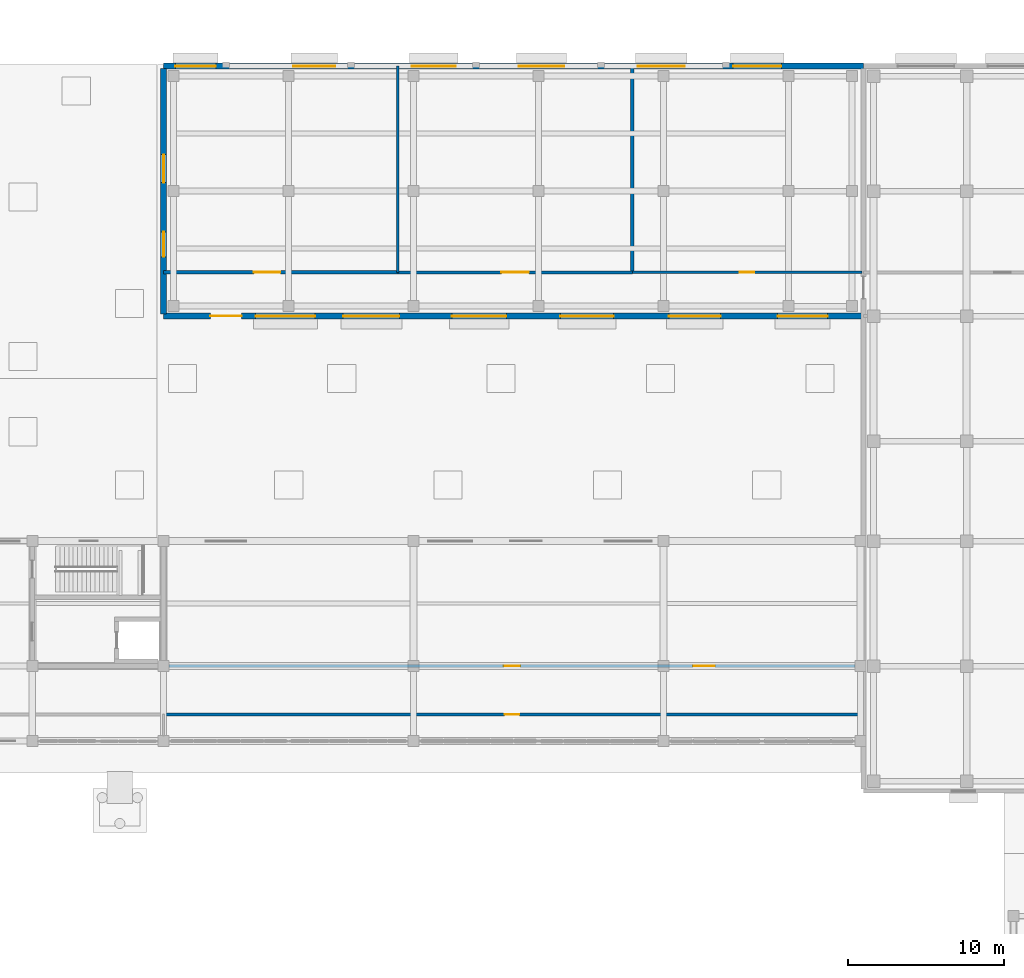
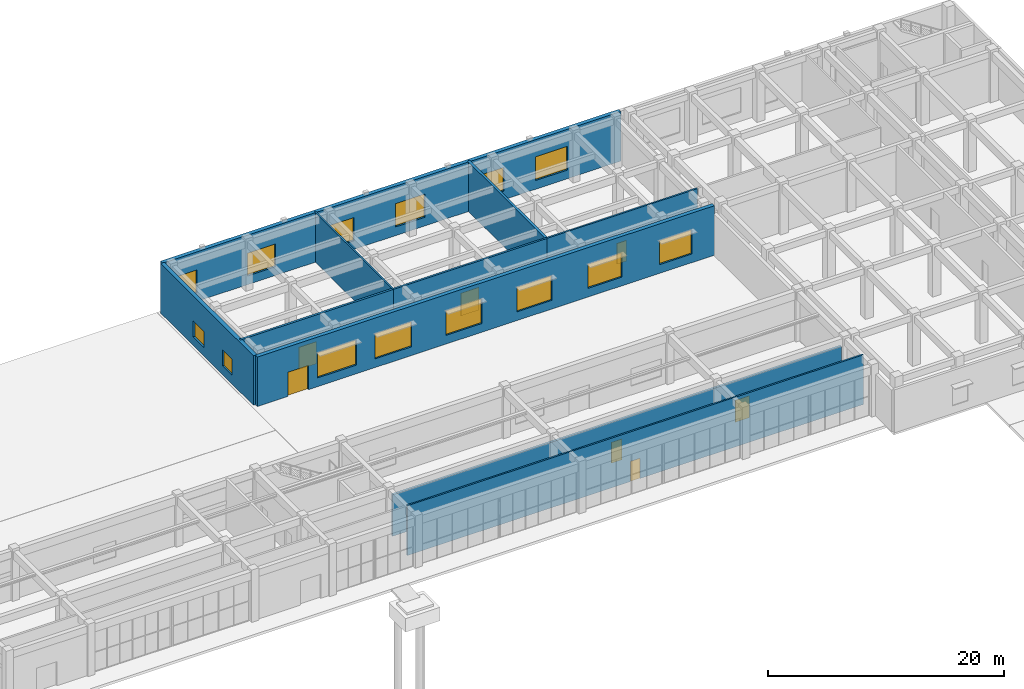
# One storey, part 33 of 46: 14 windows, 10 walls, 7 doors, 21 openings.
"""IFC4 building model written with IfcOpenShell, lengths in metres."""

from ifc_helpers import new_model, si_unit, direction, frame, frame_2d, origin, place, context, subcontext, project, spatial, rectangle, extrude, material, layer, layer_set, type_object, element, fill, save


model = new_model("IFC4")

# Units and contexts
model_context = context("Model", 3, precision=1e-05, world=origin(), true_north=direction((0.0, 1.0)))
body_context = subcontext(model_context, "Body", "Model", "MODEL_VIEW")
ifc_project = project(units=[si_unit("LENGTHUNIT", "METRE"), si_unit("AREAUNIT", "SQUARE_METRE"), si_unit("VOLUMEUNIT", "CUBIC_METRE"), si_unit("PLANEANGLEUNIT", "RADIAN"), si_unit("MASSUNIT", "GRAM", prefix="KILO")], contexts=[model_context])

# Site, building, storey
site_placement = place(None, origin())
site = spatial("IfcSite", under=ifc_project, at=site_placement, CompositionType="ELEMENT")
building_placement = place(site_placement, origin())
building = spatial("IfcBuilding", under=site, at=building_placement, Name="Cinchona Park Media Centre", CompositionType="ELEMENT")
storey_placement = place(building_placement, origin())
storey = spatial("IfcBuildingStorey", under=building, at=storey_placement, Name="L00", CompositionType="ELEMENT", Elevation=0.0)

# Wall, openings, doors
ifc_material_1 = material(Name="Acoustic Double-Stud Gypsum Partition", Category="gypsum")
ifc_layer_1 = layer(ifc_material_1, 0.2099609375)
ifc_layer_set_1 = layer_set([ifc_layer_1], Name="Acoustic Double-Stud Gypsum Partition")
wall_type_1 = type_object("IfcWallType", Name="WALL-W-AC210", PredefinedType="PARTITIONING", material=ifc_layer_set_1)
wall_1_placement = place(storey_placement, frame((95.152099609375, 79.60009765625, 0.0), z_axis=(0.0, 0.0, 1.0), x_axis=(1.0, 0.0, 0.0)))
wall_1 = element("IfcWall", 1, at=wall_1_placement, inside=storey, type_object=wall_type_1, Name="Interior Wall W-AC210 L00", PredefinedType="PARTITIONING", context=body_context, shape_type="SweptSolid", body=[
    extrude(rectangle(XDim=43.89599609375, YDim=0.2099609375, at=frame_2d((21.947998046875, 0.0))), origin(), (0.0, 0.0, 1.0), 4.2900390625),
])
opening_1_placement = place(wall_1_placement, frame((21.423095703125, 0.0, 0.0)))
opening_1 = element("IfcOpeningElement", 2, at=opening_1_placement, cuts=wall_1, Name="Opening D206", PredefinedType="OPENING", context=body_context, shape_type="SweptSolid", body=[
    extrude(rectangle(XDim=1.050048828125, YDim=2.14990234375, at=frame_2d((0.52490234375, 1.074951171875))), frame((0.0, 0.114990234375, 0.0), z_axis=(0.0, -1.0, 0.0), x_axis=(1.0, 0.0, 0.0)), (0.0, 0.0, 1.0), 0.22998046875),
])
opening_2_placement = place(wall_1_placement, frame((33.5390625, 0.0, 0.0)))
opening_2 = element("IfcOpeningElement", 3, at=opening_2_placement, cuts=wall_1, Name="Opening D207", PredefinedType="OPENING", context=body_context, shape_type="SweptSolid", body=[
    extrude(rectangle(XDim=1.39990234375, YDim=2.25, at=frame_2d((0.699951171875, 1.125))), frame((0.0, 0.114990234375, 0.0), z_axis=(0.0, -1.0, 0.0), x_axis=(1.0, 0.0, 0.0)), (0.0, 0.0, 1.0), 0.22998046875),
])
ifc_material_2 = material(Name="Acoustic Double-Seal Steel Door", Category="steel")
door_type_1 = type_object("IfcDoorType", Name="DOOR-DT-AC", OperationType="NOTDEFINED", PredefinedType="DOOR", material=ifc_material_2)
door_1_placement = place(opening_2_placement, origin())
door_1 = element("IfcDoor", 4, at=door_1_placement, inside=storey, type_object=door_type_1, Name="Interior Door D207", OperationType="SINGLE_SWING_LEFT", OverallHeight=2.25, OverallWidth=1.39990234375, PredefinedType="DOOR", context=body_context, shape_type="SweptSolid", body=[
    extrude(rectangle(XDim=1.39990234375, YDim=2.25, at=frame_2d((0.699951171875, 1.125))), frame((0.0, 0.02490234375, 0.0), z_axis=(0.0, -1.0, 0.0), x_axis=(1.0, 0.0, 0.0)), (0.0, 0.0, 1.0), 0.050048828125),
])
fill(opening_2, door_1)
ifc_material_3 = material(Name="Solid-Core Timber Acoustic Door", Category="wood")
door_type_2 = type_object("IfcDoorType", Name="DOOR-DT06", OperationType="NOTDEFINED", PredefinedType="DOOR", material=ifc_material_3)
door_2_placement = place(opening_1_placement, origin())
door_2 = element("IfcDoor", 5, at=door_2_placement, inside=storey, type_object=door_type_2, Name="Interior Door D206", OperationType="SINGLE_SWING_RIGHT", OverallHeight=2.14990234375, OverallWidth=1.050048828125, PredefinedType="DOOR", context=body_context, shape_type="SweptSolid", body=[
    extrude(rectangle(XDim=1.050048828125, YDim=2.14990234375, at=frame_2d((0.52490234375, 1.074951171875))), frame((0.0, 0.02490234375, 0.0), z_axis=(0.0, -1.0, 0.0), x_axis=(1.0, 0.0, 0.0)), (0.0, 0.0, 1.0), 0.050048828125),
])
fill(opening_1, door_2)

# Wall, opening, door
wall_2_placement = place(storey_placement, frame((94.800048828125, 104.800048828125, 0.0), z_axis=(0.0, 0.0, 1.0), x_axis=(1.0, 0.0, 0.0)))
wall_2 = element("IfcWall", 6, at=wall_2_placement, inside=storey, type_object=wall_type_1, Name="Interior Wall W-AC210 L00", PredefinedType="PARTITIONING", context=body_context, shape_type="SweptSolid", body=[
    extrude(rectangle(XDim=15.0, YDim=0.2099609375, at=frame_2d((7.5, 0.0))), origin(), (0.0, 0.0, 1.0), 5.1201171875),
])
opening_3_placement = place(wall_2_placement, frame((5.780029296875, 0.0, 0.0)))
opening_3 = element("IfcOpeningElement", 7, at=opening_3_placement, cuts=wall_2, Name="Opening D215", PredefinedType="OPENING", context=body_context, shape_type="SweptSolid", body=[
    extrude(rectangle(XDim=1.699951171875, YDim=2.300048828125, at=frame_2d((0.85009765625, 1.14990234375))), frame((0.0, 0.114990234375, 0.0), z_axis=(0.0, -1.0, 0.0), x_axis=(1.0, 0.0, 0.0)), (0.0, 0.0, 1.0), 0.22998046875),
])
ifc_material_4 = material(Name="Fire-Rated Acoustic Timber-Steel Door", Category="steel")
door_type_3 = type_object("IfcDoorType", Name="DOOR-DT19", OperationType="NOTDEFINED", PredefinedType="DOOR", material=ifc_material_4)
door_3_placement = place(opening_3_placement, origin())
door_3 = element("IfcDoor", 8, at=door_3_placement, inside=storey, type_object=door_type_3, Name="Interior Door D215", OperationType="SINGLE_SWING_LEFT", OverallHeight=2.300048828125, OverallWidth=1.699951171875, PredefinedType="DOOR", context=body_context, shape_type="SweptSolid", body=[
    extrude(rectangle(XDim=1.699951171875, YDim=2.300048828125, at=frame_2d((0.85009765625, 1.14990234375))), frame((0.0, 0.02490234375, 0.0), z_axis=(0.0, -1.0, 0.0), x_axis=(1.0, 0.0, 0.0)), (0.0, 0.0, 1.0), 0.050048828125),
])
fill(opening_3, door_3)

# Wall
ifc_material_5 = material(Name="Acoustic Double-Stud Gypsum Partition", Category="gypsum")
ifc_layer_2 = layer(ifc_material_5, 0.239990234375)
ifc_layer_set_2 = layer_set([ifc_layer_2], Name="Acoustic Double-Stud Gypsum Partition")
wall_type_2 = type_object("IfcWallType", Name="WALL-W-AC240", PredefinedType="PARTITIONING", material=ifc_layer_set_2)
wall_3_placement = place(storey_placement, frame((124.800048828125, 118.0, 0.0), z_axis=(0.0, 0.0, 1.0), x_axis=(0.0, -1.0, 0.0)))
element("IfcWall", 9, at=wall_3_placement, inside=storey, type_object=wall_type_2, Name="Interior Wall W-AC240 L00", PredefinedType="PARTITIONING", context=body_context, shape_type="SweptSolid", body=[
    extrude(rectangle(XDim=13.199951171875, YDim=0.239990234375, at=frame_2d((6.60009765625, 0.0))), origin(), (0.0, 0.0, 1.0), 5.1201171875),
])

# Wall, openings, windows
ifc_material_6 = material(Name="Precast concrete C40/50", Category="concrete")
ifc_layer_3 = layer(ifc_material_6, 0.3798828125)
ifc_layer_set_3 = layer_set([ifc_layer_3], Name="Precast concrete C40/50")
wall_type_3 = type_object("IfcWallType", Name="WALL-W-EX01", PredefinedType="SOLIDWALL", material=ifc_layer_set_3)
wall_4_placement = place(storey_placement, frame((94.800048828125, 118.0, 0.0), z_axis=(0.0, 0.0, 1.0), x_axis=(1.0, 0.0, 0.0)))
wall_4 = element("IfcWall", 10, at=wall_4_placement, inside=storey, type_object=wall_type_3, Name="Exterior Wall W-EX01 V3 L00", PredefinedType="SOLIDWALL", context=body_context, shape_type="SweptSolid", body=[
    extrude(rectangle(XDim=44.794921875, YDim=0.3798828125, at=frame_2d((22.3974609375, 0.0))), origin(), (0.0, 0.0, 1.0), 5.1201171875),
])
opening_4_placement = place(wall_4_placement, frame((0.75, 0.0, 0.89990234375)))
opening_4 = element("IfcOpeningElement", 11, at=opening_4_placement, cuts=wall_4, Name="Opening WN13", PredefinedType="OPENING", context=body_context, shape_type="SweptSolid", body=[
    extrude(rectangle(XDim=2.60009765625, YDim=2.35009765625, at=frame_2d((1.300048828125, 1.175048828125))), frame((0.0, 0.199951171875, 0.0), z_axis=(0.0, -1.0, 0.0), x_axis=(1.0, 0.0, 0.0)), (0.0, 0.0, 1.0), 0.39990234375),
])
opening_5_placement = place(wall_4_placement, frame((8.300048828125, 0.0, 0.89990234375)))
opening_5 = element("IfcOpeningElement", 12, at=opening_5_placement, cuts=wall_4, Name="Opening WN14", PredefinedType="OPENING", context=body_context, shape_type="SweptSolid", body=[
    extrude(rectangle(XDim=2.699951171875, YDim=2.35009765625, at=frame_2d((1.35009765625, 1.175048828125))), frame((0.0, 0.199951171875, 0.0), z_axis=(0.0, -1.0, 0.0), x_axis=(1.0, 0.0, 0.0)), (0.0, 0.0, 1.0), 0.39990234375),
])
opening_6_placement = place(wall_4_placement, frame((15.89990234375, 0.0, 0.89990234375)))
opening_6 = element("IfcOpeningElement", 13, at=opening_6_placement, cuts=wall_4, Name="Opening WN15", PredefinedType="OPENING", context=body_context, shape_type="SweptSolid", body=[
    extrude(rectangle(XDim=2.800048828125, YDim=2.39990234375, at=frame_2d((1.39990234375, 1.199951171875))), frame((0.0, 0.199951171875, 0.0), z_axis=(0.0, -1.0, 0.0), x_axis=(1.0, 0.0, 0.0)), (0.0, 0.0, 1.0), 0.39990234375),
])
opening_7_placement = place(wall_4_placement, frame((22.75, 0.0, 0.89990234375)))
opening_7 = element("IfcOpeningElement", 14, at=opening_7_placement, cuts=wall_4, Name="Opening WN16", PredefinedType="OPENING", context=body_context, shape_type="SweptSolid", body=[
    extrude(rectangle(XDim=2.89990234375, YDim=2.39990234375, at=frame_2d((1.449951171875, 1.199951171875))), frame((0.0, 0.199951171875, 0.0), z_axis=(0.0, -1.0, 0.0), x_axis=(1.0, 0.0, 0.0)), (0.0, 0.0, 1.0), 0.39990234375),
])
opening_8_placement = place(wall_4_placement, frame((30.35009765625, 0.0, 0.89990234375)))
opening_8 = element("IfcOpeningElement", 15, at=opening_8_placement, cuts=wall_4, Name="Opening WN17", PredefinedType="OPENING", context=body_context, shape_type="SweptSolid", body=[
    extrude(rectangle(XDim=3.0, YDim=2.449951171875, at=frame_2d((1.5, 1.22509765625))), frame((0.0, 0.199951171875, 0.0), z_axis=(0.0, -1.0, 0.0), x_axis=(1.0, 0.0, 0.0)), (0.0, 0.0, 1.0), 0.39990234375),
])
opening_9_placement = place(wall_4_placement, frame((36.449951171875, 0.0, 0.89990234375)))
opening_9 = element("IfcOpeningElement", 16, at=opening_9_placement, cuts=wall_4, Name="Opening WN18", PredefinedType="OPENING", context=body_context, shape_type="SweptSolid", body=[
    extrude(rectangle(XDim=3.10009765625, YDim=2.449951171875, at=frame_2d((1.550048828125, 1.22509765625))), frame((0.0, 0.199951171875, 0.0), z_axis=(0.0, -1.0, 0.0), x_axis=(1.0, 0.0, 0.0)), (0.0, 0.0, 1.0), 0.39990234375),
])
ifc_material_7 = material(Name="Thermally Broken Aluminium Solar-Control Window", Category="aluminium")
window_type_1 = type_object("IfcWindowType", Name="WIN-WN13", PartitioningType="SINGLE_PANEL", PredefinedType="WINDOW", material=ifc_material_7)
window_1_placement = place(opening_4_placement, origin())
window_1 = element("IfcWindow", 17, at=window_1_placement, inside=storey, type_object=window_type_1, Name="Window WN13 L00", OverallHeight=2.35009765625, OverallWidth=2.60009765625, PartitioningType="SINGLE_PANEL", PredefinedType="WINDOW", context=body_context, shape_type="SweptSolid", body=[
    extrude(rectangle(XDim=2.60009765625, YDim=2.35009765625, at=frame_2d((1.300048828125, 1.175048828125))), frame((0.0, 0.030029296875, 0.0), z_axis=(0.0, -1.0, 0.0), x_axis=(1.0, 0.0, 0.0)), (0.0, 0.0, 1.0), 0.06005859375),
])
fill(opening_4, window_1)
ifc_material_8 = material(Name="Thermally Broken Aluminium Solar-Control Window", Category="aluminium")
window_type_2 = type_object("IfcWindowType", Name="WIN-WN14", PartitioningType="SINGLE_PANEL", PredefinedType="WINDOW", material=ifc_material_8)
window_2_placement = place(opening_5_placement, origin())
window_2 = element("IfcWindow", 18, at=window_2_placement, inside=storey, type_object=window_type_2, Name="Window WN14 L00", OverallHeight=2.35009765625, OverallWidth=2.699951171875, PartitioningType="SINGLE_PANEL", PredefinedType="WINDOW", context=body_context, shape_type="SweptSolid", body=[
    extrude(rectangle(XDim=2.699951171875, YDim=2.35009765625, at=frame_2d((1.35009765625, 1.175048828125))), frame((0.0, 0.030029296875, 0.0), z_axis=(0.0, -1.0, 0.0), x_axis=(1.0, 0.0, 0.0)), (0.0, 0.0, 1.0), 0.06005859375),
])
fill(opening_5, window_2)
ifc_material_9 = material(Name="Thermally Broken Aluminium Solar-Control Window", Category="aluminium")
window_type_3 = type_object("IfcWindowType", Name="WIN-WN15", PartitioningType="SINGLE_PANEL", PredefinedType="WINDOW", material=ifc_material_9)
window_3_placement = place(opening_6_placement, origin())
window_3 = element("IfcWindow", 19, at=window_3_placement, inside=storey, type_object=window_type_3, Name="Window WN15 L00", OverallHeight=2.39990234375, OverallWidth=2.800048828125, PartitioningType="SINGLE_PANEL", PredefinedType="WINDOW", context=body_context, shape_type="SweptSolid", body=[
    extrude(rectangle(XDim=2.800048828125, YDim=2.39990234375, at=frame_2d((1.39990234375, 1.199951171875))), frame((0.0, 0.030029296875, 0.0), z_axis=(0.0, -1.0, 0.0), x_axis=(1.0, 0.0, 0.0)), (0.0, 0.0, 1.0), 0.06005859375),
])
fill(opening_6, window_3)
ifc_material_10 = material(Name="Thermally Broken Aluminium Solar-Control Window", Category="aluminium")
window_type_4 = type_object("IfcWindowType", Name="WIN-WN16", PartitioningType="SINGLE_PANEL", PredefinedType="WINDOW", material=ifc_material_10)
window_4_placement = place(opening_7_placement, origin())
window_4 = element("IfcWindow", 20, at=window_4_placement, inside=storey, type_object=window_type_4, Name="Window WN16 L00", OverallHeight=2.39990234375, OverallWidth=2.89990234375, PartitioningType="SINGLE_PANEL", PredefinedType="WINDOW", context=body_context, shape_type="SweptSolid", body=[
    extrude(rectangle(XDim=2.89990234375, YDim=2.39990234375, at=frame_2d((1.449951171875, 1.199951171875))), frame((0.0, 0.030029296875, 0.0), z_axis=(0.0, -1.0, 0.0), x_axis=(1.0, 0.0, 0.0)), (0.0, 0.0, 1.0), 0.06005859375),
])
fill(opening_7, window_4)
ifc_material_11 = material(Name="Thermally Broken Aluminium Solar-Control Window", Category="aluminium")
window_type_5 = type_object("IfcWindowType", Name="WIN-WN17", PartitioningType="SINGLE_PANEL", PredefinedType="WINDOW", material=ifc_material_11)
window_5_placement = place(opening_8_placement, origin())
window_5 = element("IfcWindow", 21, at=window_5_placement, inside=storey, type_object=window_type_5, Name="Window WN17 L00", OverallHeight=2.449951171875, OverallWidth=3.0, PartitioningType="SINGLE_PANEL", PredefinedType="WINDOW", context=body_context, shape_type="SweptSolid", body=[
    extrude(rectangle(XDim=3.0, YDim=2.449951171875, at=frame_2d((1.5, 1.22509765625))), frame((0.0, 0.030029296875, 0.0), z_axis=(0.0, -1.0, 0.0), x_axis=(1.0, 0.0, 0.0)), (0.0, 0.0, 1.0), 0.06005859375),
])
fill(opening_8, window_5)
ifc_material_12 = material(Name="Thermally Broken Aluminium Solar-Control Window", Category="aluminium")
window_type_6 = type_object("IfcWindowType", Name="WIN-WN18", PartitioningType="SINGLE_PANEL", PredefinedType="WINDOW", material=ifc_material_12)
window_6_placement = place(opening_9_placement, origin())
window_6 = element("IfcWindow", 22, at=window_6_placement, inside=storey, type_object=window_type_6, Name="Window WN18 L00", OverallHeight=2.449951171875, OverallWidth=3.10009765625, PartitioningType="SINGLE_PANEL", PredefinedType="WINDOW", context=body_context, shape_type="SweptSolid", body=[
    extrude(rectangle(XDim=3.10009765625, YDim=2.449951171875, at=frame_2d((1.550048828125, 1.22509765625))), frame((0.0, 0.030029296875, 0.0), z_axis=(0.0, -1.0, 0.0), x_axis=(1.0, 0.0, 0.0)), (0.0, 0.0, 1.0), 0.06005859375),
])
fill(opening_9, window_6)

# Wall, openings, door, windows
wall_5_placement = place(storey_placement, frame((139.5, 102.0, 0.0), z_axis=(0.0, 0.0, 1.0), x_axis=(-1.0, 0.0, 0.0)))
wall_5 = element("IfcWall", 23, at=wall_5_placement, inside=storey, type_object=wall_type_3, Name="Exterior Wall W-EX01 V3 L00", PredefinedType="SOLIDWALL", context=body_context, shape_type="SweptSolid", body=[
    extrude(rectangle(XDim=44.699951171875, YDim=0.3798828125, at=frame_2d((22.35009765625, 0.0))), origin(), (0.0, 0.0, 1.0), 5.1201171875),
])
opening_10_placement = place(wall_5_placement, frame((39.699951171875, 0.0, 0.0)))
opening_10 = element("IfcOpeningElement", 24, at=opening_10_placement, cuts=wall_5, Name="Opening D020", PredefinedType="OPENING", context=body_context, shape_type="SweptSolid", body=[
    extrude(rectangle(XDim=2.0, YDim=2.5, at=frame_2d((1.0, 1.25))), frame((0.0, 0.199951171875, 0.0), z_axis=(0.0, -1.0, 0.0), x_axis=(1.0, 0.0, 0.0)), (0.0, 0.0, 1.0), 0.39990234375),
])
opening_11_placement = place(wall_5_placement, frame((2.199951171875, 0.0, 0.89990234375)))
opening_11 = element("IfcOpeningElement", 25, at=opening_11_placement, cuts=wall_5, Name="Opening WN19", PredefinedType="OPENING", context=body_context, shape_type="SweptSolid", body=[
    extrude(rectangle(XDim=3.199951171875, YDim=2.5, at=frame_2d((1.60009765625, 1.25))), frame((0.0, 0.199951171875, 0.0), z_axis=(0.0, -1.0, 0.0), x_axis=(1.0, 0.0, 0.0)), (0.0, 0.0, 1.0), 0.39990234375),
])
opening_12_placement = place(wall_5_placement, frame((9.050048828125, 0.0, 0.89990234375)))
opening_12 = element("IfcOpeningElement", 26, at=opening_12_placement, cuts=wall_5, Name="Opening WN20", PredefinedType="OPENING", context=body_context, shape_type="SweptSolid", body=[
    extrude(rectangle(XDim=3.300048828125, YDim=2.5, at=frame_2d((1.64990234375, 1.25))), frame((0.0, 0.199951171875, 0.0), z_axis=(0.0, -1.0, 0.0), x_axis=(1.0, 0.0, 0.0)), (0.0, 0.0, 1.0), 0.39990234375),
])
opening_13_placement = place(wall_5_placement, frame((15.89990234375, 0.0, 0.89990234375)))
opening_13 = element("IfcOpeningElement", 27, at=opening_13_placement, cuts=wall_5, Name="Opening WN21", PredefinedType="OPENING", context=body_context, shape_type="SweptSolid", body=[
    extrude(rectangle(XDim=3.39990234375, YDim=2.550048828125, at=frame_2d((1.699951171875, 1.27490234375))), frame((0.0, 0.199951171875, 0.0), z_axis=(0.0, -1.0, 0.0), x_axis=(1.0, 0.0, 0.0)), (0.0, 0.0, 1.0), 0.39990234375),
])
opening_14_placement = place(wall_5_placement, frame((22.75, 0.0, 0.89990234375)))
opening_14 = element("IfcOpeningElement", 28, at=opening_14_placement, cuts=wall_5, Name="Opening WN22", PredefinedType="OPENING", context=body_context, shape_type="SweptSolid", body=[
    extrude(rectangle(XDim=3.5, YDim=2.550048828125, at=frame_2d((1.75, 1.27490234375))), frame((0.0, 0.199951171875, 0.0), z_axis=(0.0, -1.0, 0.0), x_axis=(1.0, 0.0, 0.0)), (0.0, 0.0, 1.0), 0.39990234375),
])
opening_15_placement = place(wall_5_placement, frame((29.60009765625, 0.0, 0.89990234375)))
opening_15 = element("IfcOpeningElement", 29, at=opening_15_placement, cuts=wall_5, Name="Opening WN23", PredefinedType="OPENING", context=body_context, shape_type="SweptSolid", body=[
    extrude(rectangle(XDim=3.60009765625, YDim=2.60009765625, at=frame_2d((1.800048828125, 1.300048828125))), frame((0.0, 0.199951171875, 0.0), z_axis=(0.0, -1.0, 0.0), x_axis=(1.0, 0.0, 0.0)), (0.0, 0.0, 1.0), 0.39990234375),
])
opening_16_placement = place(wall_5_placement, frame((35.0, 0.0, 0.89990234375)))
opening_16 = element("IfcOpeningElement", 30, at=opening_16_placement, cuts=wall_5, Name="Opening WN24", PredefinedType="OPENING", context=body_context, shape_type="SweptSolid", body=[
    extrude(rectangle(XDim=3.800048828125, YDim=2.60009765625, at=frame_2d((1.89990234375, 1.300048828125))), frame((0.0, 0.199951171875, 0.0), z_axis=(0.0, -1.0, 0.0), x_axis=(1.0, 0.0, 0.0)), (0.0, 0.0, 1.0), 0.39990234375),
])
ifc_material_13 = material(Name="Insulated Steel and Laminated Glass Door", Category="steel")
door_type_4 = type_object("IfcDoorType", Name="DOOR-DT-EX2", OperationType="NOTDEFINED", PredefinedType="DOOR", material=ifc_material_13)
door_4_placement = place(opening_10_placement, origin())
door_4 = element("IfcDoor", 31, at=door_4_placement, inside=storey, type_object=door_type_4, Name="Exterior Door D020", OperationType="DOUBLE_SWING_LEFT", OverallHeight=2.5, OverallWidth=2.0, PredefinedType="DOOR", context=body_context, shape_type="SweptSolid", body=[
    extrude(rectangle(XDim=2.0, YDim=2.5, at=frame_2d((1.0, 1.25))), frame((0.0, 0.02490234375, 0.0), z_axis=(0.0, -1.0, 0.0), x_axis=(1.0, 0.0, 0.0)), (0.0, 0.0, 1.0), 0.050048828125),
])
fill(opening_10, door_4)
ifc_material_14 = material(Name="Thermally Broken Aluminium Solar-Control Window", Category="aluminium")
window_type_7 = type_object("IfcWindowType", Name="WIN-WN19", PartitioningType="SINGLE_PANEL", PredefinedType="WINDOW", material=ifc_material_14)
window_7_placement = place(opening_11_placement, origin())
window_7 = element("IfcWindow", 32, at=window_7_placement, inside=storey, type_object=window_type_7, Name="Window WN19 L00", OverallHeight=2.5, OverallWidth=3.199951171875, PartitioningType="SINGLE_PANEL", PredefinedType="WINDOW", context=body_context, shape_type="SweptSolid", body=[
    extrude(rectangle(XDim=3.199951171875, YDim=2.5, at=frame_2d((1.60009765625, 1.25))), frame((0.0, 0.030029296875, 0.0), z_axis=(0.0, -1.0, 0.0), x_axis=(1.0, 0.0, 0.0)), (0.0, 0.0, 1.0), 0.06005859375),
])
fill(opening_11, window_7)
ifc_material_15 = material(Name="Thermally Broken Aluminium Solar-Control Window", Category="aluminium")
window_type_8 = type_object("IfcWindowType", Name="WIN-WN20", PartitioningType="SINGLE_PANEL", PredefinedType="WINDOW", material=ifc_material_15)
window_8_placement = place(opening_12_placement, origin())
window_8 = element("IfcWindow", 33, at=window_8_placement, inside=storey, type_object=window_type_8, Name="Window WN20 L00", OverallHeight=2.5, OverallWidth=3.300048828125, PartitioningType="SINGLE_PANEL", PredefinedType="WINDOW", context=body_context, shape_type="SweptSolid", body=[
    extrude(rectangle(XDim=3.300048828125, YDim=2.5, at=frame_2d((1.64990234375, 1.25))), frame((0.0, 0.030029296875, 0.0), z_axis=(0.0, -1.0, 0.0), x_axis=(1.0, 0.0, 0.0)), (0.0, 0.0, 1.0), 0.06005859375),
])
fill(opening_12, window_8)
ifc_material_16 = material(Name="Thermally Broken Aluminium Solar-Control Window", Category="aluminium")
window_type_9 = type_object("IfcWindowType", Name="WIN-WN21", PartitioningType="SINGLE_PANEL", PredefinedType="WINDOW", material=ifc_material_16)
window_9_placement = place(opening_13_placement, origin())
window_9 = element("IfcWindow", 34, at=window_9_placement, inside=storey, type_object=window_type_9, Name="Window WN21 L00", OverallHeight=2.550048828125, OverallWidth=3.39990234375, PartitioningType="SINGLE_PANEL", PredefinedType="WINDOW", context=body_context, shape_type="SweptSolid", body=[
    extrude(rectangle(XDim=3.39990234375, YDim=2.550048828125, at=frame_2d((1.699951171875, 1.27490234375))), frame((0.0, 0.030029296875, 0.0), z_axis=(0.0, -1.0, 0.0), x_axis=(1.0, 0.0, 0.0)), (0.0, 0.0, 1.0), 0.06005859375),
])
fill(opening_13, window_9)
ifc_material_17 = material(Name="Thermally Broken Aluminium Solar-Control Window", Category="aluminium")
window_type_10 = type_object("IfcWindowType", Name="WIN-WN22", PartitioningType="SINGLE_PANEL", PredefinedType="WINDOW", material=ifc_material_17)
window_10_placement = place(opening_14_placement, origin())
window_10 = element("IfcWindow", 35, at=window_10_placement, inside=storey, type_object=window_type_10, Name="Window WN22 L00", OverallHeight=2.550048828125, OverallWidth=3.5, PartitioningType="SINGLE_PANEL", PredefinedType="WINDOW", context=body_context, shape_type="SweptSolid", body=[
    extrude(rectangle(XDim=3.5, YDim=2.550048828125, at=frame_2d((1.75, 1.27490234375))), frame((0.0, 0.030029296875, 0.0), z_axis=(0.0, -1.0, 0.0), x_axis=(1.0, 0.0, 0.0)), (0.0, 0.0, 1.0), 0.06005859375),
])
fill(opening_14, window_10)
ifc_material_18 = material(Name="Thermally Broken Aluminium Solar-Control Window", Category="aluminium")
window_type_11 = type_object("IfcWindowType", Name="WIN-WN23", PartitioningType="SINGLE_PANEL", PredefinedType="WINDOW", material=ifc_material_18)
window_11_placement = place(opening_15_placement, origin())
window_11 = element("IfcWindow", 36, at=window_11_placement, inside=storey, type_object=window_type_11, Name="Window WN23 L00", OverallHeight=2.60009765625, OverallWidth=3.60009765625, PartitioningType="SINGLE_PANEL", PredefinedType="WINDOW", context=body_context, shape_type="SweptSolid", body=[
    extrude(rectangle(XDim=3.60009765625, YDim=2.60009765625, at=frame_2d((1.800048828125, 1.300048828125))), frame((0.0, 0.030029296875, 0.0), z_axis=(0.0, -1.0, 0.0), x_axis=(1.0, 0.0, 0.0)), (0.0, 0.0, 1.0), 0.06005859375),
])
fill(opening_15, window_11)
ifc_material_19 = material(Name="Thermally Broken Aluminium Solar-Control Window", Category="aluminium")
window_type_12 = type_object("IfcWindowType", Name="WIN-WN24", PartitioningType="SINGLE_PANEL", PredefinedType="WINDOW", material=ifc_material_19)
window_12_placement = place(opening_16_placement, origin())
window_12 = element("IfcWindow", 37, at=window_12_placement, inside=storey, type_object=window_type_12, Name="Window WN24 L00", OverallHeight=2.60009765625, OverallWidth=3.800048828125, PartitioningType="SINGLE_PANEL", PredefinedType="WINDOW", context=body_context, shape_type="SweptSolid", body=[
    extrude(rectangle(XDim=3.800048828125, YDim=2.60009765625, at=frame_2d((1.89990234375, 1.300048828125))), frame((0.0, 0.030029296875, 0.0), z_axis=(0.0, -1.0, 0.0), x_axis=(1.0, 0.0, 0.0)), (0.0, 0.0, 1.0), 0.06005859375),
])
fill(opening_16, window_12)

# Wall, openings, windows
wall_6_placement = place(storey_placement, frame((94.800048828125, 102.139892578125, 0.0), z_axis=(0.0, 0.0, 1.0), x_axis=(0.0, 1.0, 0.0)))
wall_6 = element("IfcWall", 38, at=wall_6_placement, inside=storey, type_object=wall_type_3, Name="Exterior Wall W-EX01 V3 L00", PredefinedType="SOLIDWALL", context=body_context, shape_type="SweptSolid", body=[
    extrude(rectangle(XDim=15.72021484375, YDim=0.3798828125, at=frame_2d((7.860107421875, 0.0))), origin(), (0.0, 0.0, 1.0), 5.1201171875),
])
opening_17_placement = place(wall_6_placement, frame((3.64990234375, 0.0, 0.89990234375)))
opening_17 = element("IfcOpeningElement", 39, at=opening_17_placement, cuts=wall_6, Name="Opening WN25", PredefinedType="OPENING", context=body_context, shape_type="SweptSolid", body=[
    extrude(rectangle(XDim=1.60009765625, YDim=1.64990234375, at=frame_2d((0.800048828125, 0.824951171875))), frame((0.0, 0.199951171875, 0.0), z_axis=(0.0, -1.0, 0.0), x_axis=(1.0, 0.0, 0.0)), (0.0, 0.0, 1.0), 0.39990234375),
])
opening_18_placement = place(wall_6_placement, frame((8.39990234375, 0.0, 0.89990234375)))
opening_18 = element("IfcOpeningElement", 40, at=opening_18_placement, cuts=wall_6, Name="Opening WN26", PredefinedType="OPENING", context=body_context, shape_type="SweptSolid", body=[
    extrude(rectangle(XDim=1.800048828125, YDim=1.64990234375, at=frame_2d((0.89990234375, 0.824951171875))), frame((0.0, 0.199951171875, 0.0), z_axis=(0.0, -1.0, 0.0), x_axis=(1.0, 0.0, 0.0)), (0.0, 0.0, 1.0), 0.39990234375),
])
ifc_material_20 = material(Name="Thermally Broken Aluminium Solar-Control Window", Category="aluminium")
window_type_13 = type_object("IfcWindowType", Name="WIN-WN25", PartitioningType="SINGLE_PANEL", PredefinedType="WINDOW", material=ifc_material_20)
window_13_placement = place(opening_17_placement, origin())
window_13 = element("IfcWindow", 41, at=window_13_placement, inside=storey, type_object=window_type_13, Name="Window WN25 L00", OverallHeight=1.64990234375, OverallWidth=1.60009765625, PartitioningType="SINGLE_PANEL", PredefinedType="WINDOW", context=body_context, shape_type="SweptSolid", body=[
    extrude(rectangle(XDim=1.60009765625, YDim=1.64990234375, at=frame_2d((0.800048828125, 0.824951171875))), frame((0.0, 0.030029296875, 0.0), z_axis=(0.0, -1.0, 0.0), x_axis=(1.0, 0.0, 0.0)), (0.0, 0.0, 1.0), 0.06005859375),
])
fill(opening_17, window_13)
ifc_material_21 = material(Name="Thermally Broken Aluminium Solar-Control Window", Category="aluminium")
window_type_14 = type_object("IfcWindowType", Name="WIN-WN26", PartitioningType="SINGLE_PANEL", PredefinedType="WINDOW", material=ifc_material_21)
window_14_placement = place(opening_18_placement, origin())
window_14 = element("IfcWindow", 42, at=window_14_placement, inside=storey, type_object=window_type_14, Name="Window WN26 L00", OverallHeight=1.64990234375, OverallWidth=1.800048828125, PartitioningType="SINGLE_PANEL", PredefinedType="WINDOW", context=body_context, shape_type="SweptSolid", body=[
    extrude(rectangle(XDim=1.800048828125, YDim=1.64990234375, at=frame_2d((0.89990234375, 0.824951171875))), frame((0.0, 0.030029296875, 0.0), z_axis=(0.0, -1.0, 0.0), x_axis=(1.0, 0.0, 0.0)), (0.0, 0.0, 1.0), 0.06005859375),
])
fill(opening_18, window_14)

# Wall
ifc_material_22 = material(Name="Fire-Rated Gypsum Stud Partition", Category="gypsum")
ifc_layer_4 = layer(ifc_material_22, 0.14990234375)
ifc_layer_set_4 = layer_set([ifc_layer_4], Name="Fire-Rated Gypsum Stud Partition")
wall_type_4 = type_object("IfcWallType", Name="WALL-W-PT150", PredefinedType="PARTITIONING", material=ifc_layer_set_4)
wall_7_placement = place(storey_placement, frame((109.800048828125, 118.0, 0.0), z_axis=(0.0, 0.0, 1.0), x_axis=(0.0, -1.0, 0.0)))
element("IfcWall", 43, at=wall_7_placement, inside=storey, type_object=wall_type_4, Name="Interior Wall W-PT150 L00", PredefinedType="PARTITIONING", context=body_context, shape_type="SweptSolid", body=[
    extrude(rectangle(XDim=13.199951171875, YDim=0.14990234375, at=frame_2d((6.60009765625, 0.0))), origin(), (0.0, 0.0, 1.0), 5.1201171875),
])

# Wall, opening, door
ifc_material_23 = material(Name="Fire-Rated Gypsum Stud Partition", Category="gypsum")
ifc_layer_5 = layer(ifc_material_23, 0.1650390625)
ifc_layer_set_5 = layer_set([ifc_layer_5], Name="Fire-Rated Gypsum Stud Partition")
wall_type_5 = type_object("IfcWallType", Name="WALL-W-PT165", PredefinedType="PARTITIONING", material=ifc_layer_set_5)
wall_8_placement = place(storey_placement, frame((139.39990234375, 76.5, 0.0), z_axis=(0.0, 0.0, 1.0), x_axis=(-1.0, 0.0, 0.0)))
wall_8 = element("IfcWall", 44, at=wall_8_placement, inside=storey, type_object=wall_type_5, Name="Interior Wall W-PT165 L00", PredefinedType="PARTITIONING", context=body_context, shape_type="SweptSolid", body=[
    extrude(rectangle(XDim=44.599853515625, YDim=0.1650390625, at=frame_2d((22.2998046875, 0.0))), origin(), (0.0, 0.0, 1.0), 5.139892578125),
])
opening_19_placement = place(wall_8_placement, frame((21.824951171875, 0.0, 0.0)))
opening_19 = element("IfcOpeningElement", 45, at=opening_19_placement, cuts=wall_8, Name="Opening D204", PredefinedType="OPENING", context=body_context, shape_type="SweptSolid", body=[
    extrude(rectangle(XDim=0.949951171875, YDim=2.10009765625, at=frame_2d((0.47509765625, 1.050048828125))), frame((0.0, 0.092529296875, 0.0), z_axis=(0.0, -1.0, 0.0), x_axis=(1.0, 0.0, 0.0)), (0.0, 0.0, 1.0), 0.18505859375),
])
ifc_material_24 = material(Name="Solid-Core Timber Acoustic Door", Category="wood")
door_type_5 = type_object("IfcDoorType", Name="DOOR-DT02", OperationType="NOTDEFINED", PredefinedType="DOOR", material=ifc_material_24)
door_5_placement = place(opening_19_placement, origin())
door_5 = element("IfcDoor", 46, at=door_5_placement, inside=storey, type_object=door_type_5, Name="Interior Door D204", OperationType="SINGLE_SWING_RIGHT", OverallHeight=2.10009765625, OverallWidth=0.949951171875, PredefinedType="DOOR", context=body_context, shape_type="SweptSolid", body=[
    extrude(rectangle(XDim=0.949951171875, YDim=2.10009765625, at=frame_2d((0.47509765625, 1.050048828125))), frame((0.0, 0.02490234375, 0.0), z_axis=(0.0, -1.0, 0.0), x_axis=(1.0, 0.0, 0.0)), (0.0, 0.0, 1.0), 0.050048828125),
])
fill(opening_19, door_5)

wall_9_placement = place(storey_placement, frame((124.800048828125, 104.800048828125, 0.0), z_axis=(0.0, 0.0, 1.0), x_axis=(1.0, 0.0, 0.0)))
wall_9 = element("IfcWall", 47, at=wall_9_placement, inside=storey, type_object=wall_type_5, Name="Interior Wall W-PT165 L00", PredefinedType="PARTITIONING", context=body_context, shape_type="SweptSolid", body=[
    extrude(rectangle(XDim=14.699951171875, YDim=0.1650390625, at=frame_2d((7.35009765625, 0.0))), origin(), (0.0, 0.0, 1.0), 5.1201171875),
])
opening_20_placement = place(wall_9_placement, frame((6.8798828125, 0.0, 0.0)))
opening_20 = element("IfcOpeningElement", 48, at=opening_20_placement, cuts=wall_9, Name="Opening D217", PredefinedType="OPENING", context=body_context, shape_type="SweptSolid", body=[
    extrude(rectangle(XDim=0.93994140625, YDim=2.14990234375, at=frame_2d((0.469970703125, 1.074951171875))), frame((0.0, 0.092529296875, 0.0), z_axis=(0.0, -1.0, 0.0), x_axis=(1.0, 0.0, 0.0)), (0.0, 0.0, 1.0), 0.18505859375),
])
ifc_material_25 = material(Name="Fire-Rated Acoustic Timber-Steel Door", Category="steel")
door_type_6 = type_object("IfcDoorType", Name="DOOR-DT24", OperationType="NOTDEFINED", PredefinedType="DOOR", material=ifc_material_25)
door_6_placement = place(opening_20_placement, origin())
door_6 = element("IfcDoor", 49, at=door_6_placement, inside=storey, type_object=door_type_6, Name="Interior Door D217", OperationType="SINGLE_SWING_LEFT", OverallHeight=2.14990234375, OverallWidth=0.93994140625, PredefinedType="DOOR", context=body_context, shape_type="SweptSolid", body=[
    extrude(rectangle(XDim=0.93994140625, YDim=2.14990234375, at=frame_2d((0.469970703125, 1.074951171875))), frame((0.0, 0.02490234375, 0.0), z_axis=(0.0, -1.0, 0.0), x_axis=(1.0, 0.0, 0.0)), (0.0, 0.0, 1.0), 0.050048828125),
])
fill(opening_20, door_6)

ifc_material_26 = material(Name="Fire-Rated Gypsum Stud Partition", Category="gypsum")
ifc_layer_6 = layer(ifc_material_26, 0.18994140625)
ifc_layer_set_6 = layer_set([ifc_layer_6], Name="Fire-Rated Gypsum Stud Partition")
wall_type_6 = type_object("IfcWallType", Name="WALL-W-PT190", PredefinedType="PARTITIONING", material=ifc_layer_set_6)
wall_10_placement = place(storey_placement, frame((109.800048828125, 104.800048828125, 0.0), z_axis=(0.0, 0.0, 1.0), x_axis=(1.0, 0.0, 0.0)))
wall_10 = element("IfcWall", 50, at=wall_10_placement, inside=storey, type_object=wall_type_6, Name="Interior Wall W-PT190 L00", PredefinedType="PARTITIONING", context=body_context, shape_type="SweptSolid", body=[
    extrude(rectangle(XDim=15.0, YDim=0.18994140625, at=frame_2d((7.5, 0.0))), origin(), (0.0, 0.0, 1.0), 5.1201171875),
])
opening_21_placement = place(wall_10_placement, frame((6.625, 0.0, 0.0)))
opening_21 = element("IfcOpeningElement", 51, at=opening_21_placement, cuts=wall_10, Name="Opening D216", PredefinedType="OPENING", context=body_context, shape_type="SweptSolid", body=[
    extrude(rectangle(XDim=1.75, YDim=2.35009765625, at=frame_2d((0.875, 1.175048828125))), frame((0.0, 0.10498046875, 0.0), z_axis=(0.0, -1.0, 0.0), x_axis=(1.0, 0.0, 0.0)), (0.0, 0.0, 1.0), 0.2099609375),
])
ifc_material_27 = material(Name="Fire-Rated Acoustic Timber-Steel Door", Category="steel")
door_type_7 = type_object("IfcDoorType", Name="DOOR-DT20", OperationType="NOTDEFINED", PredefinedType="DOOR", material=ifc_material_27)
door_7_placement = place(opening_21_placement, origin())
door_7 = element("IfcDoor", 52, at=door_7_placement, inside=storey, type_object=door_type_7, Name="Interior Door D216", OperationType="SINGLE_SWING_RIGHT", OverallHeight=2.35009765625, OverallWidth=1.75, PredefinedType="DOOR", context=body_context, shape_type="SweptSolid", body=[
    extrude(rectangle(XDim=1.75, YDim=2.35009765625, at=frame_2d((0.875, 1.175048828125))), frame((0.0, 0.02490234375, 0.0), z_axis=(0.0, -1.0, 0.0), x_axis=(1.0, 0.0, 0.0)), (0.0, 0.0, 1.0), 0.050048828125),
])
fill(opening_21, door_7)

save(model, "model.ifc")
